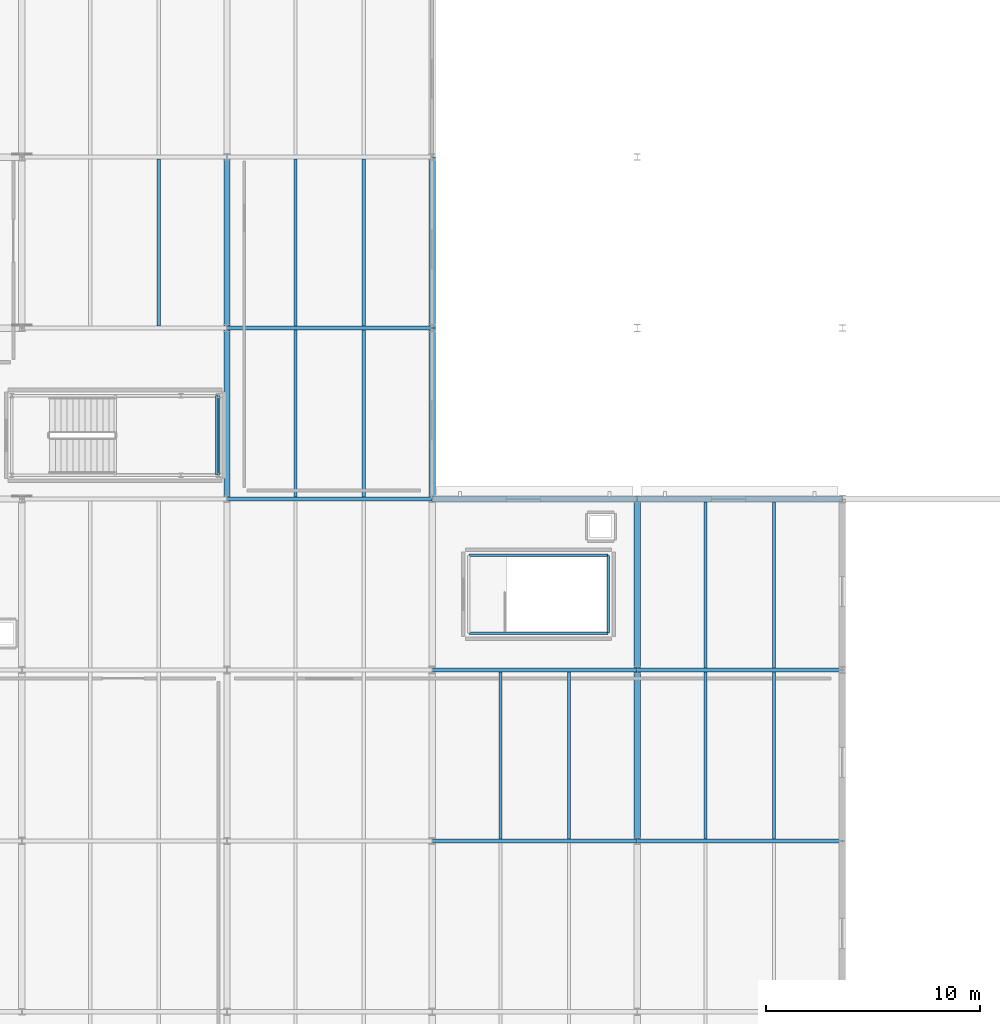
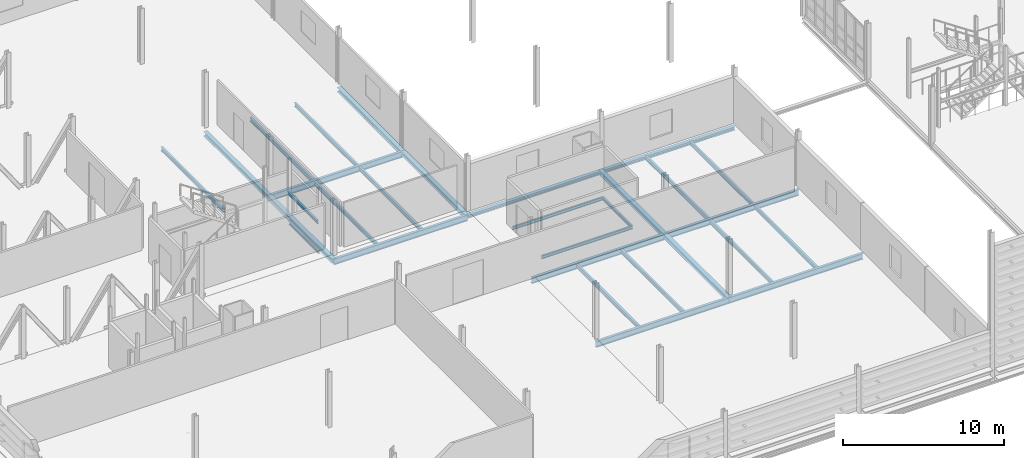
# One storey, part 22 of 73: 30 beams.
"""IFC4 building model written with IfcOpenShell, lengths in metres."""

from ifc_helpers import new_model, si_unit, direction, frame, origin, origin_2d, place, context, subcontext, project, spatial, i_section, extrude, material, material_profile, profile_set, type_object, element, save


model = new_model("IFC4")

# Units and contexts
model_context = context("Model", 3, precision=1e-05, world=origin(), true_north=direction((0.0, 1.0)))
body_context = subcontext(model_context, "Body", "Model", "MODEL_VIEW")
ifc_project = project(units=[si_unit("LENGTHUNIT", "METRE"), si_unit("AREAUNIT", "SQUARE_METRE"), si_unit("VOLUMEUNIT", "CUBIC_METRE"), si_unit("PLANEANGLEUNIT", "RADIAN"), si_unit("MASSUNIT", "GRAM", prefix="KILO")], contexts=[model_context])

# Site, building, storey
site_placement = place(None, origin())
site = spatial("IfcSite", under=ifc_project, at=site_placement, CompositionType="ELEMENT")
building_placement = place(site_placement, origin())
building = spatial("IfcBuilding", under=site, at=building_placement, Name="Alderhovde Museum", CompositionType="ELEMENT")
storey_placement = place(building_placement, frame((0.0, 0.0, 12.89990234375)))
storey = spatial("IfcBuildingStorey", under=building, at=storey_placement, Name="L03", CompositionType="ELEMENT", Elevation=12.89990234375)

# Beams
ifc_material_1 = material(Name="Steel S355J2", Category="steel")
ifc_material_profile_1 = material_profile(ifc_material_1, i_section(OverallWidth=0.300048828125, OverallDepth=0.330078125, WebThickness=0.009521484375, FlangeThickness=0.0166015625, FilletRadius=0.027099609375, at=origin_2d()), Name="HEA 340")
ifc_profile_set_1 = profile_set([ifc_material_profile_1], Name="Steel S355J2")
beam_type_1 = type_object("IfcBeamType", Name="BM-HEA340", PredefinedType="BEAM", material=ifc_profile_set_1)
for number, where, z_axis, x_axis, name in (
    (1, (38.39990234375, 80.0, -0.48486328125), (0.0, 1.0, 0.0), (-1.0, 0.0, 0.0), "L03 Grid Beam X=38.4 (80.0 TO 88.0)"),
    (2, (38.39990234375, 88.0, -0.48486328125), (0.0, 1.0, 0.0), (-1.0, 0.0, 0.0), "L03 Grid Beam X=38.4 (88.0 TO 96.0)"),
    (3, (48.0, 80.0, -0.48486328125), (0.0, 1.0, 0.0), (-1.0, 0.0, 0.0), "L03 Grid Beam X=48.0 (80.0 TO 88.0)"),
    (4, (48.0, 88.0, -0.48486328125), (0.0, 1.0, 0.0), (-1.0, 0.0, 0.0), "L03 Grid Beam X=48.0 (88.0 TO 96.0)"),
    (5, (57.60009765625, 64.0, -0.4248046875), (0.0, 1.0, 0.0), (-1.0, 0.0, 0.0), "L03 Grid Beam X=57.6 (64.0 TO 72.0)"),
    (6, (57.60009765625, 72.0, -0.4248046875), (0.0, 1.0, 0.0), (-1.0, 0.0, 0.0), "L03 Grid Beam X=57.6 (72.0 TO 80.0)"),
):
    element("IfcBeam", number, at=place(storey_placement, frame(where, z_axis=z_axis, x_axis=x_axis)), inside=storey, type_object=beam_type_1, Name=name, PredefinedType="BEAM", context=body_context, shape_type="SweptSolid", body=[
        extrude(i_section(OverallWidth=0.300048828125, OverallDepth=0.330078125, WebThickness=0.009521484375, FlangeThickness=0.0166015625, FilletRadius=0.027099609375, at=origin_2d()), origin(), (0.0, 0.0, 1.0), 8.0),
    ])
ifc_material_2 = material(Name="Steel S355J2", Category="steel")
ifc_material_profile_2 = material_profile(ifc_material_2, i_section(OverallWidth=0.1201171875, OverallDepth=0.239990234375, WebThickness=0.006103515625, FlangeThickness=0.009765625, FilletRadius=0.014892578125, at=origin_2d()), Name="IPE 240")
ifc_profile_set_2 = profile_set([ifc_material_profile_2], Name="Steel S355J2")
beam_type_2 = type_object("IfcBeamType", Name="BM-IPE240", PredefinedType="BEAM", material=ifc_profile_set_2)
for number, where, z_axis, x_axis, name in (
    (7, (38.0, 81.1201171875, -0.3798828125), (0.0, 1.0, 0.0), (-1.0, 0.0, 0.0), "L03 Stair ST2 Floor Trimmer E"),
    (8, (37.919921875, 81.1201171875, 1.93017578125), (0.0, 1.0, 0.0), (-1.0, 0.0, 0.0), "L03 Stair ST2 Landing 1 Beam E"),
):
    element("IfcBeam", number, at=place(storey_placement, frame(where, z_axis=z_axis, x_axis=x_axis)), inside=storey, type_object=beam_type_2, Name=name, PredefinedType="BEAM", context=body_context, shape_type="SweptSolid", body=[
        extrude(i_section(OverallWidth=0.1201171875, OverallDepth=0.239990234375, WebThickness=0.006103515625, FlangeThickness=0.009765625, FilletRadius=0.014892578125, at=origin_2d()), origin(), (0.0, 0.0, 1.0), 3.719970703125),
    ])
for number, where, z_axis, x_axis, name in (
    (9, (49.719970703125, 73.719970703125, -0.3798828125), (1.0, 0.0, 0.0), (0.0, 1.0, 0.0), "L03 Stair ST6 Floor Trimmer S"),
    (10, (49.719970703125, 77.360107421875, -0.3798828125), (1.0, 0.0, 0.0), (0.0, 1.0, 0.0), "L03 Stair ST6 Floor Trimmer N"),
):
    element("IfcBeam", number, at=place(storey_placement, frame(where, z_axis=z_axis, x_axis=x_axis)), inside=storey, type_object=beam_type_2, Name=name, PredefinedType="BEAM", context=body_context, shape_type="SweptSolid", body=[
        extrude(i_section(OverallWidth=0.1201171875, OverallDepth=0.239990234375, WebThickness=0.006103515625, FlangeThickness=0.009765625, FilletRadius=0.014892578125, at=origin_2d()), origin(), (0.0, 0.0, 1.0), 6.52001953125),
    ])
beam_1_placement = place(storey_placement, frame((56.239990234375, 73.719970703125, -0.3798828125), z_axis=(0.0, 1.0, 0.0), x_axis=(-1.0, 0.0, 0.0)))
element("IfcBeam", 11, at=beam_1_placement, inside=storey, type_object=beam_type_2, Name="L03 Stair ST6 Floor Trimmer E", PredefinedType="BEAM", context=body_context, shape_type="SweptSolid", body=[
    extrude(i_section(OverallWidth=0.1201171875, OverallDepth=0.239990234375, WebThickness=0.006103515625, FlangeThickness=0.009765625, FilletRadius=0.014892578125, at=origin_2d()), origin(), (0.0, 0.0, 1.0), 3.64013671875),
])
ifc_material_3 = material(Name="Steel S355J2", Category="steel")
ifc_material_profile_3 = material_profile(ifc_material_3, i_section(OverallWidth=0.18994140625, OverallDepth=0.449951171875, WebThickness=0.009521484375, FlangeThickness=0.0146484375, FilletRadius=0.02099609375, at=origin_2d()), Name="IPE 450")
ifc_profile_set_3 = profile_set([ifc_material_profile_3], Name="Steel S355J2")
beam_type_3 = type_object("IfcBeamType", Name="BM-IPE450", PredefinedType="BEAM", material=ifc_profile_set_3)
beam_2_placement = place(storey_placement, frame((48.0, 64.0, -0.48486328125), z_axis=(1.0, 0.0, 0.0), x_axis=(0.0, 1.0, 0.0)))
element("IfcBeam", 12, at=beam_2_placement, inside=storey, type_object=beam_type_3, Name="L03 Grid Beam Y=64.0 (48.0 TO 57.6)", PredefinedType="BEAM", context=body_context, shape_type="SweptSolid", body=[
    extrude(i_section(OverallWidth=0.18994140625, OverallDepth=0.449951171875, WebThickness=0.009521484375, FlangeThickness=0.0146484375, FilletRadius=0.02099609375, at=origin_2d()), origin(), (0.0, 0.0, 1.0), 9.60009765625),
])
beam_3_placement = place(storey_placement, frame((57.60009765625, 64.0, -0.48486328125), z_axis=(1.0, 0.0, 0.0), x_axis=(0.0, 1.0, 0.0)))
element("IfcBeam", 13, at=beam_3_placement, inside=storey, type_object=beam_type_3, Name="L03 Grid Beam Y=64.0 (57.6 TO 67.2)", PredefinedType="BEAM", context=body_context, shape_type="SweptSolid", body=[
    extrude(i_section(OverallWidth=0.18994140625, OverallDepth=0.449951171875, WebThickness=0.009521484375, FlangeThickness=0.0146484375, FilletRadius=0.02099609375, at=origin_2d()), origin(), (0.0, 0.0, 1.0), 9.599853515625),
])
beam_4_placement = place(storey_placement, frame((48.0, 72.0, -0.48486328125), z_axis=(1.0, 0.0, 0.0), x_axis=(0.0, 1.0, 0.0)))
element("IfcBeam", 14, at=beam_4_placement, inside=storey, type_object=beam_type_3, Name="L03 Grid Beam Y=72.0 (48.0 TO 57.6)", PredefinedType="BEAM", context=body_context, shape_type="SweptSolid", body=[
    extrude(i_section(OverallWidth=0.18994140625, OverallDepth=0.449951171875, WebThickness=0.009521484375, FlangeThickness=0.0146484375, FilletRadius=0.02099609375, at=origin_2d()), origin(), (0.0, 0.0, 1.0), 9.60009765625),
])
beam_5_placement = place(storey_placement, frame((57.60009765625, 72.0, -0.48486328125), z_axis=(1.0, 0.0, 0.0), x_axis=(0.0, 1.0, 0.0)))
element("IfcBeam", 15, at=beam_5_placement, inside=storey, type_object=beam_type_3, Name="L03 Grid Beam Y=72.0 (57.6 TO 67.2)", PredefinedType="BEAM", context=body_context, shape_type="SweptSolid", body=[
    extrude(i_section(OverallWidth=0.18994140625, OverallDepth=0.449951171875, WebThickness=0.009521484375, FlangeThickness=0.0146484375, FilletRadius=0.02099609375, at=origin_2d()), origin(), (0.0, 0.0, 1.0), 9.599853515625),
])
for number, where, z_axis, x_axis, name in (
    (16, (38.39990234375, 80.0, -0.544921875), (1.0, 0.0, 0.0), (0.0, 1.0, 0.0), "L03 Grid Beam Y=80.0 (38.4 TO 48.0)"),
    (17, (38.39990234375, 88.0, -0.544921875), (1.0, 0.0, 0.0), (0.0, 1.0, 0.0), "L03 Grid Beam Y=88.0 (38.4 TO 48.0)"),
):
    element("IfcBeam", number, at=place(storey_placement, frame(where, z_axis=z_axis, x_axis=x_axis)), inside=storey, type_object=beam_type_3, Name=name, PredefinedType="BEAM", context=body_context, shape_type="SweptSolid", body=[
        extrude(i_section(OverallWidth=0.18994140625, OverallDepth=0.449951171875, WebThickness=0.009521484375, FlangeThickness=0.0146484375, FilletRadius=0.02099609375, at=origin_2d()), origin(), (0.0, 0.0, 1.0), 9.60009765625),
    ])
ifc_material_4 = material(Name="Steel S355J2", Category="steel")
ifc_material_profile_4 = material_profile(ifc_material_4, i_section(OverallWidth=0.14990234375, OverallDepth=0.300048828125, WebThickness=0.007080078125, FlangeThickness=0.0107421875, FilletRadius=0.014892578125, at=origin_2d()), Name="IPE 300")
ifc_profile_set_4 = profile_set([ifc_material_profile_4], Name="Steel S355J2")
beam_type_4 = type_object("IfcBeamType", Name="JST-IPE300", PredefinedType="JOIST", material=ifc_profile_set_4)
for number, where, z_axis, x_axis, name in (
    (18, (35.199951171875, 88.094970703125, -0.469970703125), (0.0, 1.0, 0.0), (-1.0, 0.0, 0.0), "L03 Composite Joist X=35.2 (88.0 TO 96.0)"),
    (19, (41.60009765625, 80.094970703125, -0.469970703125), (0.0, 1.0, 0.0), (-1.0, 0.0, 0.0), "L03 Composite Joist X=41.6 (80.0 TO 88.0)"),
    (20, (44.800048828125, 80.094970703125, -0.469970703125), (0.0, 1.0, 0.0), (-1.0, 0.0, 0.0), "L03 Composite Joist X=44.8 (80.0 TO 88.0)"),
    (21, (41.60009765625, 88.094970703125, -0.469970703125), (0.0, 1.0, 0.0), (-1.0, 0.0, 0.0), "L03 Composite Joist X=41.6 (88.0 TO 96.0)"),
    (22, (44.800048828125, 88.094970703125, -0.469970703125), (0.0, 1.0, 0.0), (-1.0, 0.0, 0.0), "L03 Composite Joist X=44.8 (88.0 TO 96.0)"),
    (23, (51.199951171875, 64.094970703125, -0.409912109375), (0.0, 1.0, 0.0), (-1.0, 0.0, 0.0), "L03 Composite Joist X=51.2 (64.0 TO 72.0)"),
    (24, (54.39990234375, 64.094970703125, -0.409912109375), (0.0, 1.0, 0.0), (-1.0, 0.0, 0.0), "L03 Composite Joist X=54.4 (64.0 TO 72.0)"),
    (25, (60.800048828125, 64.094970703125, -0.409912109375), (0.0, 1.0, 0.0), (-1.0, 0.0, 0.0), "L03 Composite Joist X=60.8 (64.0 TO 72.0)"),
    (26, (64.0, 64.094970703125, -0.409912109375), (0.0, 1.0, 0.0), (-1.0, 0.0, 0.0), "L03 Composite Joist X=64.0 (64.0 TO 72.0)"),
):
    element("IfcBeam", number, at=place(storey_placement, frame(where, z_axis=z_axis, x_axis=x_axis)), inside=storey, type_object=beam_type_4, Name=name, PredefinedType="JOIST", context=body_context, shape_type="SweptSolid", body=[
        extrude(i_section(OverallWidth=0.14990234375, OverallDepth=0.300048828125, WebThickness=0.007080078125, FlangeThickness=0.0107421875, FilletRadius=0.014892578125, at=origin_2d()), origin(), (0.0, 0.0, 1.0), 7.81005859375),
    ])
for number, where, z_axis, x_axis, name in (
    (27, (60.800048828125, 72.094970703125, -0.409912109375), (0.0, 1.0, 0.0), (-1.0, 0.0, 0.0), "L03 Composite Joist X=60.8 (72.0 TO 80.0)"),
    (28, (64.0, 72.094970703125, -0.409912109375), (0.0, 1.0, 0.0), (-1.0, 0.0, 0.0), "L03 Composite Joist X=64.0 (72.0 TO 80.0)"),
):
    element("IfcBeam", number, at=place(storey_placement, frame(where, z_axis=z_axis, x_axis=x_axis)), inside=storey, type_object=beam_type_4, Name=name, PredefinedType="JOIST", context=body_context, shape_type="SweptSolid", body=[
        extrude(i_section(OverallWidth=0.14990234375, OverallDepth=0.300048828125, WebThickness=0.007080078125, FlangeThickness=0.0107421875, FilletRadius=0.014892578125, at=origin_2d()), origin(), (0.0, 0.0, 1.0), 7.775146484375),
    ])
ifc_material_5 = material(Name="Steel S355J2", Category="steel")
ifc_material_profile_5 = material_profile(ifc_material_5, i_section(OverallWidth=0.260009765625, OverallDepth=0.25, WebThickness=0.007568359375, FlangeThickness=0.012451171875, FilletRadius=0.02392578125, at=origin_2d()), Name="HEA 260")
ifc_profile_set_5 = profile_set([ifc_material_profile_5], Name="Steel S355J2")
beam_type_5 = type_object("IfcBeamType", Name="SPD-HEA260", PredefinedType="SPANDREL", material=ifc_profile_set_5)
beam_6_placement = place(storey_placement, frame((48.0, 80.0, -0.44482421875), z_axis=(1.0, 0.0, 0.0), x_axis=(0.0, 1.0, 0.0)))
element("IfcBeam", 29, at=beam_6_placement, inside=storey, type_object=beam_type_5, Name="L03 Grid Beam Y=80.0 (48.0 TO 57.6)", PredefinedType="SPANDREL", context=body_context, shape_type="SweptSolid", body=[
    extrude(i_section(OverallWidth=0.260009765625, OverallDepth=0.25, WebThickness=0.007568359375, FlangeThickness=0.012451171875, FilletRadius=0.02392578125, at=origin_2d()), origin(), (0.0, 0.0, 1.0), 9.60009765625),
])
beam_7_placement = place(storey_placement, frame((57.60009765625, 80.0, -0.44482421875), z_axis=(1.0, 0.0, 0.0), x_axis=(0.0, 1.0, 0.0)))
element("IfcBeam", 30, at=beam_7_placement, inside=storey, type_object=beam_type_5, Name="L03 Grid Beam Y=80.0 (57.6 TO 67.2)", PredefinedType="SPANDREL", context=body_context, shape_type="SweptSolid", body=[
    extrude(i_section(OverallWidth=0.260009765625, OverallDepth=0.25, WebThickness=0.007568359375, FlangeThickness=0.012451171875, FilletRadius=0.02392578125, at=origin_2d()), origin(), (0.0, 0.0, 1.0), 9.599853515625),
])

save(model, "model.ifc")
